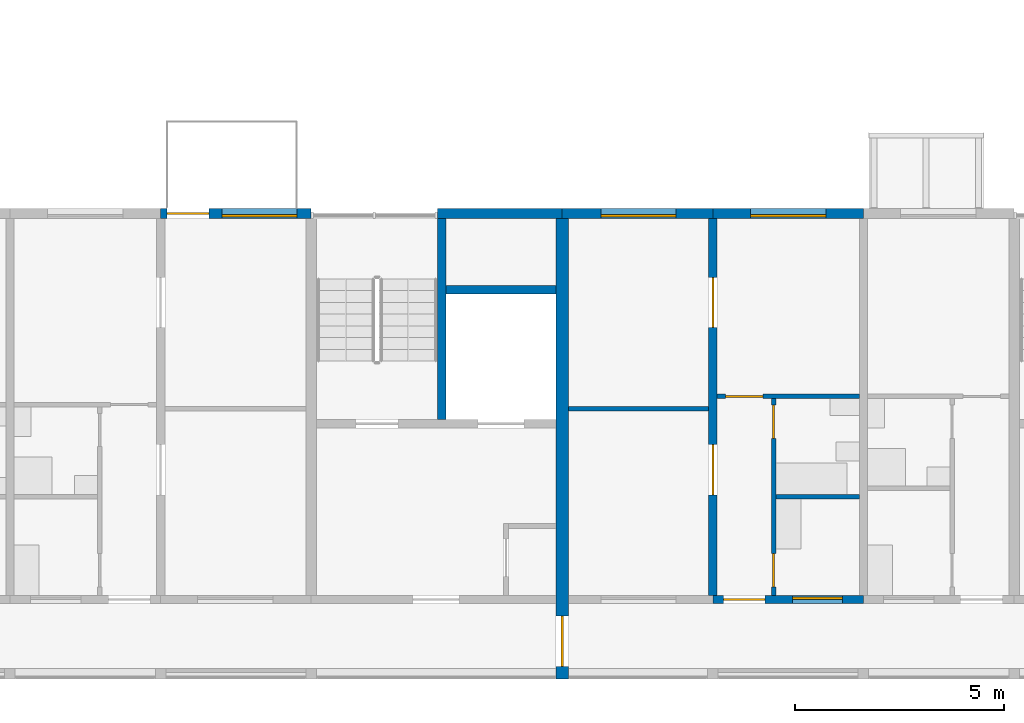
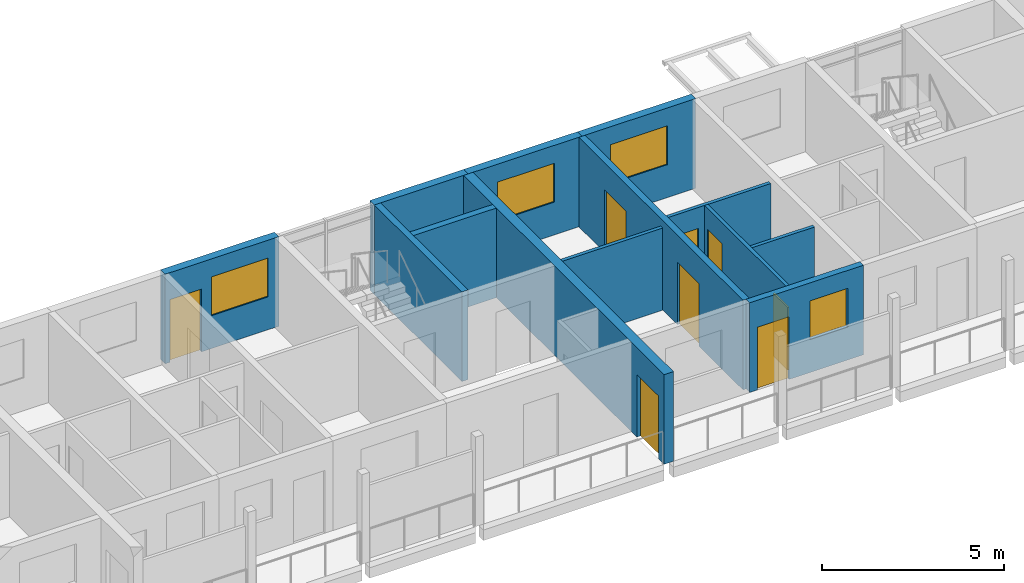
# One storey, part 43 of 78: 13 walls, 8 doors, 4 windows, 12 openings.
"""IFC4 building model written with IfcOpenShell, lengths in metres."""

from ifc_helpers import new_model, si_unit, direction, frame, frame_2d, origin, place, context, subcontext, project, spatial, rectangle, extrude, material, layer, layer_set, type_object, element, fill, save


model = new_model("IFC4")

# Units and contexts
model_context = context("Model", 3, precision=1e-05, world=origin(), true_north=direction((0.0, 1.0)))
body_context = subcontext(model_context, "Body", "Model", "MODEL_VIEW")
ifc_project = project(units=[si_unit("LENGTHUNIT", "METRE"), si_unit("AREAUNIT", "SQUARE_METRE"), si_unit("VOLUMEUNIT", "CUBIC_METRE"), si_unit("PLANEANGLEUNIT", "RADIAN"), si_unit("MASSUNIT", "GRAM", prefix="KILO")], contexts=[model_context])

# Site, building, storey
site_placement = place(None, origin())
site = spatial("IfcSite", under=ifc_project, at=site_placement, CompositionType="ELEMENT")
building_placement = place(site_placement, origin())
building = spatial("IfcBuilding", under=site, at=building_placement, Name="Ridgestep Commons", CompositionType="ELEMENT")
storey_placement = place(building_placement, frame((0.0, 0.0, 30.0)))
storey = spatial("IfcBuildingStorey", under=building, at=storey_placement, Name="L10", CompositionType="ELEMENT", Elevation=30.0)

# Walls
ifc_material_1 = material(Name="Concrete C30/37", Category="concrete")
ifc_layer_1 = layer(ifc_material_1, 0.199951171875)
ifc_layer_set_1 = layer_set([ifc_layer_1], Name="Core wall 200")
wall_type_1 = type_object("IfcWallType", Name="Core wall 200", PredefinedType="SHEAR", material=ifc_layer_set_1)
wall_1_placement = place(storey_placement, frame((194.324951171875, 17.949951171875, 0.0), z_axis=(0.0, 0.0, 1.0), x_axis=(0.0, 1.0, 0.0)))
element("IfcWall", 1, at=wall_1_placement, inside=storey, type_object=wall_type_1, Name="Core stair wall D3C L10", PredefinedType="SHEAR", context=body_context, shape_type="SweptSolid", body=[
    extrude(rectangle(XDim=4.800048828125, YDim=0.199951171875, at=frame_2d((2.39990234375, 0.0))), origin(), (0.0, 0.0, 1.0), 3.0),
])
wall_2_placement = place(storey_placement, frame((194.425048828125, 21.050048828125, 0.0), z_axis=(0.0, 0.0, 1.0), x_axis=(1.0, 0.0, 0.0)))
element("IfcWall", 2, at=wall_2_placement, inside=storey, type_object=wall_type_1, Name="Core duct wall D3C L10", PredefinedType="SHEAR", context=body_context, shape_type="SweptSolid", body=[
    extrude(rectangle(XDim=2.625, YDim=0.199951171875, at=frame_2d((1.3125, 0.0))), origin(), (0.0, 0.0, 1.0), 3.0),
])

# Wall, openings, doors
ifc_material_2 = material(Name="Precast concrete C40/50", Category="concrete")
ifc_layer_2 = layer(ifc_material_2, 0.199951171875)
ifc_layer_set_2 = layer_set([ifc_layer_2], Name="Cross wall 200")
wall_type_2 = type_object("IfcWallType", Name="Cross wall 200", PredefinedType="SHEAR", material=ifc_layer_set_2)
wall_3_placement = place(storey_placement, frame((200.800048828125, 13.75, 0.0), z_axis=(0.0, 0.0, 1.0), x_axis=(0.0, 1.0, 0.0)))
wall_3 = element("IfcWall", 3, at=wall_3_placement, inside=storey, type_object=wall_type_2, Name="Cross wall D-10-2008", PredefinedType="SHEAR", context=body_context, shape_type="SweptSolid", body=[
    extrude(rectangle(XDim=9.0, YDim=0.199951171875, at=frame_2d((4.5, 0.0))), origin(), (0.0, 0.0, 1.0), 3.0),
])
opening_1_placement = place(wall_3_placement, frame((2.39990234375, 0.0, 0.0)))
opening_1 = element("IfcOpeningElement", 4, at=opening_1_placement, cuts=wall_3, Name="Opening D4-10a/5", PredefinedType="OPENING", context=body_context, shape_type="SweptSolid", body=[
    extrude(rectangle(XDim=1.199951171875, YDim=2.10009765625, at=frame_2d((0.60009765625, 1.050048828125))), frame((0.0, 0.10986328125, 0.0), z_axis=(0.0, -1.0, 0.0), x_axis=(1.0, 0.0, 0.0)), (0.0, 0.0, 1.0), 0.219970703125),
])
opening_2_placement = place(wall_3_placement, frame((6.39990234375, 0.0, 0.0)))
opening_2 = element("IfcOpeningElement", 5, at=opening_2_placement, cuts=wall_3, Name="Opening D4-10a/6", PredefinedType="OPENING", context=body_context, shape_type="SweptSolid", body=[
    extrude(rectangle(XDim=1.199951171875, YDim=2.10009765625, at=frame_2d((0.60009765625, 1.050048828125))), frame((0.0, 0.10986328125, 0.0), z_axis=(0.0, -1.0, 0.0), x_axis=(1.0, 0.0, 0.0)), (0.0, 0.0, 1.0), 0.219970703125),
])
ifc_material_3 = material(Name="Timber door leaf", Category="wood")
door_type_1 = type_object("IfcDoorType", Name="Double door 1200 x 2100", OperationType="DOUBLE_DOOR_SINGLE_SWING", PredefinedType="DOOR", material=ifc_material_3)
door_1_placement = place(opening_1_placement, origin())
door_1 = element("IfcDoor", 6, at=door_1_placement, inside=storey, type_object=door_type_1, Name="Double door D4-10a/5", OperationType="DOUBLE_DOOR_SINGLE_SWING", OverallHeight=2.10009765625, OverallWidth=1.199951171875, PredefinedType="DOOR", context=body_context, shape_type="SweptSolid", body=[
    extrude(rectangle(XDim=1.199951171875, YDim=2.10009765625, at=frame_2d((0.60009765625, 1.050048828125))), frame((0.0, 0.02490234375, 0.0), z_axis=(0.0, -1.0, 0.0), x_axis=(1.0, 0.0, 0.0)), (0.0, 0.0, 1.0), 0.050048828125),
])
fill(opening_1, door_1)
door_2_placement = place(opening_2_placement, origin())
door_2 = element("IfcDoor", 7, at=door_2_placement, inside=storey, type_object=door_type_1, Name="Double door D4-10a/6", OperationType="DOUBLE_DOOR_SINGLE_SWING", OverallHeight=2.10009765625, OverallWidth=1.199951171875, PredefinedType="DOOR", context=body_context, shape_type="SweptSolid", body=[
    extrude(rectangle(XDim=1.199951171875, YDim=2.10009765625, at=frame_2d((0.60009765625, 1.050048828125))), frame((0.0, 0.02490234375, 0.0), z_axis=(0.0, -1.0, 0.0), x_axis=(1.0, 0.0, 0.0)), (0.0, 0.0, 1.0), 0.050048828125),
])
fill(opening_2, door_2)

# Wall, opening, door
ifc_material_4 = material(Name="Precast concrete C40/50", Category="concrete")
ifc_layer_3 = layer(ifc_material_4, 0.300048828125)
ifc_layer_set_3 = layer_set([ifc_layer_3], Name="Division wall 300")
wall_type_3 = type_object("IfcWallType", Name="Division wall 300", PredefinedType="SHEAR", material=ifc_layer_set_3)
wall_4_placement = place(storey_placement, frame((197.199951171875, 11.75, 0.0), z_axis=(0.0, 0.0, 1.0), x_axis=(0.0, 1.0, 0.0)))
wall_4 = element("IfcWall", 8, at=wall_4_placement, inside=storey, type_object=wall_type_3, Name="Cross wall D-10-1972", PredefinedType="SHEAR", context=body_context, shape_type="SweptSolid", body=[
    extrude(rectangle(XDim=11.0, YDim=0.300048828125, at=frame_2d((5.5, 0.0))), origin(), (0.0, 0.0, 1.0), 3.0),
])
opening_3_placement = place(wall_4_placement, frame((0.300048828125, 0.0, 0.0)))
opening_3 = element("IfcOpeningElement", 9, at=opening_3_placement, cuts=wall_4, Name="Opening D/10/G1972", PredefinedType="OPENING", context=body_context, shape_type="SweptSolid", body=[
    extrude(rectangle(XDim=1.199951171875, YDim=2.10009765625, at=frame_2d((0.60009765625, 1.050048828125))), frame((0.0, 0.159912109375, 0.0), z_axis=(0.0, -1.0, 0.0), x_axis=(1.0, 0.0, 0.0)), (0.0, 0.0, 1.0), 0.320068359375),
])
ifc_material_5 = material(Name="Steel fire door", Category="steel")
door_type_2 = type_object("IfcDoorType", Name="Division fire door 1200 x 2100 EI 240", OperationType="DOUBLE_DOOR_SINGLE_SWING", PredefinedType="DOOR", material=ifc_material_5)
door_3_placement = place(opening_3_placement, origin())
door_3 = element("IfcDoor", 10, at=door_3_placement, inside=storey, type_object=door_type_2, Name="Division fire door D/10/G1972", OperationType="DOUBLE_DOOR_SINGLE_SWING", OverallHeight=2.10009765625, OverallWidth=1.199951171875, PredefinedType="DOOR", context=body_context, shape_type="SweptSolid", body=[
    extrude(rectangle(XDim=1.199951171875, YDim=2.10009765625, at=frame_2d((0.60009765625, 1.050048828125))), frame((0.0, 0.02490234375, 0.0), z_axis=(0.0, -1.0, 0.0), x_axis=(1.0, 0.0, 0.0)), (0.0, 0.0, 1.0), 0.050048828125),
])
fill(opening_3, door_3)

# Wall, openings, door, window
ifc_material_6 = material(Name="Precast concrete C40/50", Category="concrete")
ifc_layer_4 = layer(ifc_material_6, 0.25)
ifc_layer_set_4 = layer_set([ifc_layer_4], Name="North facade panel 250")
wall_type_4 = type_object("IfcWallType", Name="North facade panel 250", PredefinedType="SOLIDWALL", material=ifc_layer_set_4)
wall_5_placement = place(storey_placement, frame((187.60009765625, 22.875, 0.0), z_axis=(0.0, 0.0, 1.0), x_axis=(1.0, 0.0, 0.0)))
wall_5 = element("IfcWall", 11, at=wall_5_placement, inside=storey, type_object=wall_type_4, Name="North panel D3T3 L10", PredefinedType="SOLIDWALL", context=body_context, shape_type="SweptSolid", body=[
    extrude(rectangle(XDim=3.599853515625, YDim=0.25, at=frame_2d((1.7998046875, 0.0))), origin(), (0.0, 0.0, 1.0), 3.0),
])
opening_4_placement = place(wall_5_placement, frame((1.464599609375, 0.0, 1.10009765625)))
opening_4 = element("IfcOpeningElement", 12, at=opening_4_placement, cuts=wall_5, Name="Opening W18", PredefinedType="OPENING", context=body_context, shape_type="SweptSolid", body=[
    extrude(rectangle(XDim=1.800048828125, YDim=1.300048828125, at=frame_2d((0.89990234375, 0.64990234375))), frame((0.0, 0.135009765625, 0.0), z_axis=(0.0, -1.0, 0.0), x_axis=(1.0, 0.0, 0.0)), (0.0, 0.0, 1.0), 0.27001953125),
])
opening_5_placement = place(wall_5_placement, frame((0.154052734375, 0.0, 0.0)))
opening_5 = element("IfcOpeningElement", 13, at=opening_5_placement, cuts=wall_5, Name="Opening D3-10b/7", PredefinedType="OPENING", context=body_context, shape_type="SweptSolid", body=[
    extrude(rectangle(XDim=1.0, YDim=2.10009765625, at=frame_2d((0.5, 1.050048828125))), frame((0.0, 0.135009765625, 0.0), z_axis=(0.0, -1.0, 0.0), x_axis=(1.0, 0.0, 0.0)), (0.0, 0.0, 1.0), 0.27001953125),
])
ifc_material_7 = material(Name="Aluminium and glass", Category="aluminium")
door_type_3 = type_object("IfcDoorType", Name="Balcony door 1000 x 2100", OperationType="NOTDEFINED", PredefinedType="DOOR", material=ifc_material_7)
door_4_placement = place(opening_5_placement, origin())
door_4 = element("IfcDoor", 14, at=door_4_placement, inside=storey, type_object=door_type_3, Name="Balcony door D3-10b/7", OperationType="SINGLE_SWING_RIGHT", OverallHeight=2.10009765625, OverallWidth=1.0, PredefinedType="DOOR", context=body_context, shape_type="SweptSolid", body=[
    extrude(rectangle(XDim=1.0, YDim=2.10009765625, at=frame_2d((0.5, 1.050048828125))), frame((0.0, 0.02490234375, 0.0), z_axis=(0.0, -1.0, 0.0), x_axis=(1.0, 0.0, 0.0)), (0.0, 0.0, 1.0), 0.050048828125),
])
fill(opening_5, door_4)
ifc_material_8 = material(Name="Aluminium 6063-T6 and glass", Category="aluminium")
window_type_1 = type_object("IfcWindowType", Name="Flat window 1800 x 1300", PartitioningType="DOUBLE_PANEL_VERTICAL", PredefinedType="WINDOW", material=ifc_material_8)
window_1_placement = place(opening_4_placement, origin())
window_1 = element("IfcWindow", 15, at=window_1_placement, inside=storey, type_object=window_type_1, Name="Window D3-10b 2", OverallHeight=1.300048828125, OverallWidth=1.800048828125, PartitioningType="SINGLE_PANEL", PredefinedType="WINDOW", context=body_context, shape_type="SweptSolid", body=[
    extrude(rectangle(XDim=1.800048828125, YDim=1.300048828125, at=frame_2d((0.89990234375, 0.64990234375))), frame((0.0, -0.02490234375, 0.0), z_axis=(0.0, -1.0, 0.0), x_axis=(1.0, 0.0, 0.0)), (0.0, 0.0, 1.0), 0.06005859375),
])
fill(opening_4, window_1)

# Wall
wall_6_placement = place(storey_placement, frame((194.22509765625, 22.875, 0.0), z_axis=(0.0, 0.0, 1.0), x_axis=(1.0, 0.0, 0.0)))
element("IfcWall", 16, at=wall_6_placement, inside=storey, type_object=wall_type_4, Name="North panel D3C L10", PredefinedType="SOLIDWALL", context=body_context, shape_type="SweptSolid", body=[
    extrude(rectangle(XDim=2.974853515625, YDim=0.25, at=frame_2d((1.4873046875, 0.0))), origin(), (0.0, 0.0, 1.0), 3.0),
])

# Wall, opening, window
wall_7_placement = place(storey_placement, frame((197.199951171875, 22.875, 0.0), z_axis=(0.0, 0.0, 1.0), x_axis=(1.0, 0.0, 0.0)))
wall_7 = element("IfcWall", 17, at=wall_7_placement, inside=storey, type_object=wall_type_4, Name="North panel D4T1 L10", PredefinedType="SOLIDWALL", context=body_context, shape_type="SweptSolid", body=[
    extrude(rectangle(XDim=3.60009765625, YDim=0.25, at=frame_2d((1.800048828125, 0.0))), origin(), (0.0, 0.0, 1.0), 3.0),
])
opening_6_placement = place(wall_7_placement, frame((0.925048828125, 0.0, 1.10009765625)))
opening_6 = element("IfcOpeningElement", 18, at=opening_6_placement, cuts=wall_7, Name="Opening W18", PredefinedType="OPENING", context=body_context, shape_type="SweptSolid", body=[
    extrude(rectangle(XDim=1.800048828125, YDim=1.300048828125, at=frame_2d((0.89990234375, 0.64990234375))), frame((0.0, 0.135009765625, 0.0), z_axis=(0.0, -1.0, 0.0), x_axis=(1.0, 0.0, 0.0)), (0.0, 0.0, 1.0), 0.27001953125),
])
window_2_placement = place(opening_6_placement, origin())
window_2 = element("IfcWindow", 19, at=window_2_placement, inside=storey, type_object=window_type_1, Name="Window D4-10a 2", OverallHeight=1.300048828125, OverallWidth=1.800048828125, PartitioningType="SINGLE_PANEL", PredefinedType="WINDOW", context=body_context, shape_type="SweptSolid", body=[
    extrude(rectangle(XDim=1.800048828125, YDim=1.300048828125, at=frame_2d((0.89990234375, 0.64990234375))), frame((0.0, -0.02490234375, 0.0), z_axis=(0.0, -1.0, 0.0), x_axis=(1.0, 0.0, 0.0)), (0.0, 0.0, 1.0), 0.06005859375),
])
fill(opening_6, window_2)

wall_8_placement = place(storey_placement, frame((200.800048828125, 22.875, 0.0), z_axis=(0.0, 0.0, 1.0), x_axis=(1.0, 0.0, 0.0)))
wall_8 = element("IfcWall", 20, at=wall_8_placement, inside=storey, type_object=wall_type_4, Name="North panel D4T2 L10", PredefinedType="SOLIDWALL", context=body_context, shape_type="SweptSolid", body=[
    extrude(rectangle(XDim=3.599853515625, YDim=0.25, at=frame_2d((1.7998046875, 0.0))), origin(), (0.0, 0.0, 1.0), 3.0),
])
opening_7_placement = place(wall_8_placement, frame((0.89990234375, 0.0, 1.10009765625)))
opening_7 = element("IfcOpeningElement", 21, at=opening_7_placement, cuts=wall_8, Name="Opening W18", PredefinedType="OPENING", context=body_context, shape_type="SweptSolid", body=[
    extrude(rectangle(XDim=1.800048828125, YDim=1.300048828125, at=frame_2d((0.89990234375, 0.64990234375))), frame((0.0, 0.135009765625, 0.0), z_axis=(0.0, -1.0, 0.0), x_axis=(1.0, 0.0, 0.0)), (0.0, 0.0, 1.0), 0.27001953125),
])
window_3_placement = place(opening_7_placement, origin())
window_3 = element("IfcWindow", 22, at=window_3_placement, inside=storey, type_object=window_type_1, Name="Window D4-10a 4", OverallHeight=1.300048828125, OverallWidth=1.800048828125, PartitioningType="SINGLE_PANEL", PredefinedType="WINDOW", context=body_context, shape_type="SweptSolid", body=[
    extrude(rectangle(XDim=1.800048828125, YDim=1.300048828125, at=frame_2d((0.89990234375, 0.64990234375))), frame((0.0, -0.02490234375, 0.0), z_axis=(0.0, -1.0, 0.0), x_axis=(1.0, 0.0, 0.0)), (0.0, 0.0, 1.0), 0.06005859375),
])
fill(opening_7, window_3)

# Wall, openings, doors
ifc_material_9 = material(Name="Common brick 110 mm", Category="masonry")
ifc_layer_5 = layer(ifc_material_9, 0.110107421875)
ifc_layer_set_5 = layer_set([ifc_layer_5], Name="Partition 110")
wall_type_5 = type_object("IfcWallType", Name="Partition 110", PredefinedType="PARTITIONING", material=ifc_layer_set_5)
wall_9_placement = place(storey_placement, frame((202.2548828125, 13.75, 0.0), z_axis=(0.0, 0.0, 1.0), x_axis=(0.0, 1.0, 0.0)))
wall_9 = element("IfcWall", 23, at=wall_9_placement, inside=storey, type_object=wall_type_5, Name="Partition D4-10a", PredefinedType="PARTITIONING", context=body_context, shape_type="SweptSolid", body=[
    extrude(rectangle(XDim=4.699951171875, YDim=0.110107421875, at=frame_2d((2.35009765625, 0.0))), origin(), (0.0, 0.0, 1.0), 2.800048828125),
])
opening_8_placement = place(wall_9_placement, frame((0.199951171875, 0.0, 0.0)))
opening_8 = element("IfcOpeningElement", 24, at=opening_8_placement, cuts=wall_9, Name="Opening D4-10a/2", PredefinedType="OPENING", context=body_context, shape_type="SweptSolid", body=[
    extrude(rectangle(XDim=0.800048828125, YDim=2.10009765625, at=frame_2d((0.39990234375, 1.050048828125))), frame((0.0, 0.06494140625, 0.0), z_axis=(0.0, -1.0, 0.0), x_axis=(1.0, 0.0, 0.0)), (0.0, 0.0, 1.0), 0.130126953125),
])
opening_9_placement = place(wall_9_placement, frame((3.75, 0.0, 0.0)))
opening_9 = element("IfcOpeningElement", 25, at=opening_9_placement, cuts=wall_9, Name="Opening D4-10a/3", PredefinedType="OPENING", context=body_context, shape_type="SweptSolid", body=[
    extrude(rectangle(XDim=0.800048828125, YDim=2.10009765625, at=frame_2d((0.39990234375, 1.050048828125))), frame((0.0, 0.06494140625, 0.0), z_axis=(0.0, -1.0, 0.0), x_axis=(1.0, 0.0, 0.0)), (0.0, 0.0, 1.0), 0.130126953125),
])
ifc_material_10 = material(Name="Timber door leaf", Category="wood")
door_type_4 = type_object("IfcDoorType", Name="Internal door 800 x 2100", OperationType="NOTDEFINED", PredefinedType="DOOR", material=ifc_material_10)
door_5_placement = place(opening_8_placement, origin())
door_5 = element("IfcDoor", 26, at=door_5_placement, inside=storey, type_object=door_type_4, Name="Internal door D4-10a/2", OperationType="SINGLE_SWING_RIGHT", OverallHeight=2.10009765625, OverallWidth=0.800048828125, PredefinedType="DOOR", context=body_context, shape_type="SweptSolid", body=[
    extrude(rectangle(XDim=0.800048828125, YDim=2.10009765625, at=frame_2d((0.39990234375, 1.050048828125))), frame((0.0, 0.02490234375, 0.0), z_axis=(0.0, -1.0, 0.0), x_axis=(1.0, 0.0, 0.0)), (0.0, 0.0, 1.0), 0.050048828125),
])
fill(opening_8, door_5)
door_6_placement = place(opening_9_placement, origin())
door_6 = element("IfcDoor", 27, at=door_6_placement, inside=storey, type_object=door_type_4, Name="Internal door D4-10a/3", OperationType="SINGLE_SWING_LEFT", OverallHeight=2.10009765625, OverallWidth=0.800048828125, PredefinedType="DOOR", context=body_context, shape_type="SweptSolid", body=[
    extrude(rectangle(XDim=0.800048828125, YDim=2.10009765625, at=frame_2d((0.39990234375, 1.050048828125))), frame((0.0, 0.02490234375, 0.0), z_axis=(0.0, -1.0, 0.0), x_axis=(1.0, 0.0, 0.0)), (0.0, 0.0, 1.0), 0.050048828125),
])
fill(opening_9, door_6)

# Wall
wall_10_placement = place(storey_placement, frame((202.31005859375, 16.10498046875, 0.0), z_axis=(0.0, 0.0, 1.0), x_axis=(1.0, 0.0, 0.0)))
element("IfcWall", 28, at=wall_10_placement, inside=storey, type_object=wall_type_5, Name="Partition D4-10a", PredefinedType="PARTITIONING", context=body_context, shape_type="SweptSolid", body=[
    extrude(rectangle(XDim=1.989990234375, YDim=0.110107421875, at=frame_2d((0.9951171875, 0.0))), origin(), (0.0, 0.0, 1.0), 2.800048828125),
])

# Wall, opening, door
wall_11_placement = place(storey_placement, frame((200.89990234375, 18.5048828125, 0.0), z_axis=(0.0, 0.0, 1.0), x_axis=(1.0, 0.0, 0.0)))
wall_11 = element("IfcWall", 29, at=wall_11_placement, inside=storey, type_object=wall_type_5, Name="Partition D4-10a", PredefinedType="PARTITIONING", context=body_context, shape_type="SweptSolid", body=[
    extrude(rectangle(XDim=3.400146484375, YDim=0.110107421875, at=frame_2d((1.7001953125, 0.0))), origin(), (0.0, 0.0, 1.0), 2.800048828125),
])
opening_10_placement = place(wall_11_placement, frame((0.199951171875, 0.0, 0.0)))
opening_10 = element("IfcOpeningElement", 30, at=opening_10_placement, cuts=wall_11, Name="Opening D4-10a/4", PredefinedType="OPENING", context=body_context, shape_type="SweptSolid", body=[
    extrude(rectangle(XDim=0.89990234375, YDim=2.10009765625, at=frame_2d((0.449951171875, 1.050048828125))), frame((0.0, 0.06494140625, 0.0), z_axis=(0.0, -1.0, 0.0), x_axis=(1.0, 0.0, 0.0)), (0.0, 0.0, 1.0), 0.130126953125),
])
ifc_material_11 = material(Name="Timber door leaf", Category="wood")
door_type_5 = type_object("IfcDoorType", Name="Internal door 900 x 2100", OperationType="NOTDEFINED", PredefinedType="DOOR", material=ifc_material_11)
door_7_placement = place(opening_10_placement, origin())
door_7 = element("IfcDoor", 31, at=door_7_placement, inside=storey, type_object=door_type_5, Name="Internal door D4-10a/4", OperationType="SINGLE_SWING_LEFT", OverallHeight=2.10009765625, OverallWidth=0.89990234375, PredefinedType="DOOR", context=body_context, shape_type="SweptSolid", body=[
    extrude(rectangle(XDim=0.89990234375, YDim=2.10009765625, at=frame_2d((0.449951171875, 1.050048828125))), frame((0.0, 0.02490234375, 0.0), z_axis=(0.0, -1.0, 0.0), x_axis=(1.0, 0.0, 0.0)), (0.0, 0.0, 1.0), 0.050048828125),
])
fill(opening_10, door_7)

# Wall
wall_12_placement = place(storey_placement, frame((197.35009765625, 18.205078125, 0.0), z_axis=(0.0, 0.0, 1.0), x_axis=(1.0, 0.0, 0.0)))
element("IfcWall", 32, at=wall_12_placement, inside=storey, type_object=wall_type_5, Name="Partition D4-10a", PredefinedType="PARTITIONING", context=body_context, shape_type="SweptSolid", body=[
    extrude(rectangle(XDim=3.349853515625, YDim=0.110107421875, at=frame_2d((1.6748046875, 0.0))), origin(), (0.0, 0.0, 1.0), 2.75),
])

# Wall, openings, door, window
ifc_material_12 = material(Name="Precast concrete C40/50", Category="concrete")
ifc_layer_6 = layer(ifc_material_12, 0.199951171875)
ifc_layer_set_6 = layer_set([ifc_layer_6], Name="South facade panel 200")
wall_type_6 = type_object("IfcWallType", Name="South facade panel 200", PredefinedType="SOLIDWALL", material=ifc_layer_set_6)
wall_13_placement = place(storey_placement, frame((200.800048828125, 13.64990234375, 0.0), z_axis=(0.0, 0.0, 1.0), x_axis=(1.0, 0.0, 0.0)))
wall_13 = element("IfcWall", 33, at=wall_13_placement, inside=storey, type_object=wall_type_6, Name="South panel D4T2 L10", PredefinedType="SOLIDWALL", context=body_context, shape_type="SweptSolid", body=[
    extrude(rectangle(XDim=3.599853515625, YDim=0.199951171875, at=frame_2d((1.7998046875, 0.0))), origin(), (0.0, 0.0, 1.0), 3.0),
])
opening_11_placement = place(wall_13_placement, frame((1.905029296875, 0.0, 1.10009765625)))
opening_11 = element("IfcOpeningElement", 34, at=opening_11_placement, cuts=wall_13, Name="Opening W08", PredefinedType="OPENING", context=body_context, shape_type="SweptSolid", body=[
    extrude(rectangle(XDim=1.199951171875, YDim=1.300048828125, at=frame_2d((0.60009765625, 0.64990234375))), frame((0.0, 0.10986328125, 0.0), z_axis=(0.0, -1.0, 0.0), x_axis=(1.0, 0.0, 0.0)), (0.0, 0.0, 1.0), 0.219970703125),
])
opening_12_placement = place(wall_13_placement, frame((0.25, 0.0, 0.0)))
opening_12 = element("IfcOpeningElement", 35, at=opening_12_placement, cuts=wall_13, Name="Opening D4-10a/1", PredefinedType="OPENING", context=body_context, shape_type="SweptSolid", body=[
    extrude(rectangle(XDim=1.0, YDim=2.10009765625, at=frame_2d((0.5, 1.050048828125))), frame((0.0, 0.10986328125, 0.0), z_axis=(0.0, -1.0, 0.0), x_axis=(1.0, 0.0, 0.0)), (0.0, 0.0, 1.0), 0.219970703125),
])
ifc_material_13 = material(Name="Timber door leaf", Category="wood")
door_type_6 = type_object("IfcDoorType", Name="Flat entrance door 1000 x 2100 FD30S", OperationType="NOTDEFINED", PredefinedType="DOOR", material=ifc_material_13)
door_8_placement = place(opening_12_placement, origin())
door_8 = element("IfcDoor", 36, at=door_8_placement, inside=storey, type_object=door_type_6, Name="Flat entrance door D4-10a/1", OperationType="SINGLE_SWING_LEFT", OverallHeight=2.10009765625, OverallWidth=1.0, PredefinedType="DOOR", context=body_context, shape_type="SweptSolid", body=[
    extrude(rectangle(XDim=1.0, YDim=2.10009765625, at=frame_2d((0.5, 1.050048828125))), frame((0.0, 0.02490234375, 0.0), z_axis=(0.0, -1.0, 0.0), x_axis=(1.0, 0.0, 0.0)), (0.0, 0.0, 1.0), 0.050048828125),
])
fill(opening_12, door_8)
ifc_material_14 = material(Name="Aluminium 6063-T6 and glass", Category="aluminium")
window_type_2 = type_object("IfcWindowType", Name="Flat window 1200 x 1300", PartitioningType="SINGLE_PANEL", PredefinedType="WINDOW", material=ifc_material_14)
window_4_placement = place(opening_11_placement, origin())
window_4 = element("IfcWindow", 37, at=window_4_placement, inside=storey, type_object=window_type_2, Name="Window D4-10a 3", OverallHeight=1.300048828125, OverallWidth=1.199951171875, PartitioningType="SINGLE_PANEL", PredefinedType="WINDOW", context=body_context, shape_type="SweptSolid", body=[
    extrude(rectangle(XDim=1.199951171875, YDim=1.300048828125, at=frame_2d((0.60009765625, 0.64990234375))), frame((0.0, 0.06005859375, 0.0), z_axis=(0.0, -1.0, 0.0), x_axis=(1.0, 0.0, 0.0)), (0.0, 0.0, 1.0), 0.06005859375),
])
fill(opening_11, window_4)

save(model, "model.ifc")
